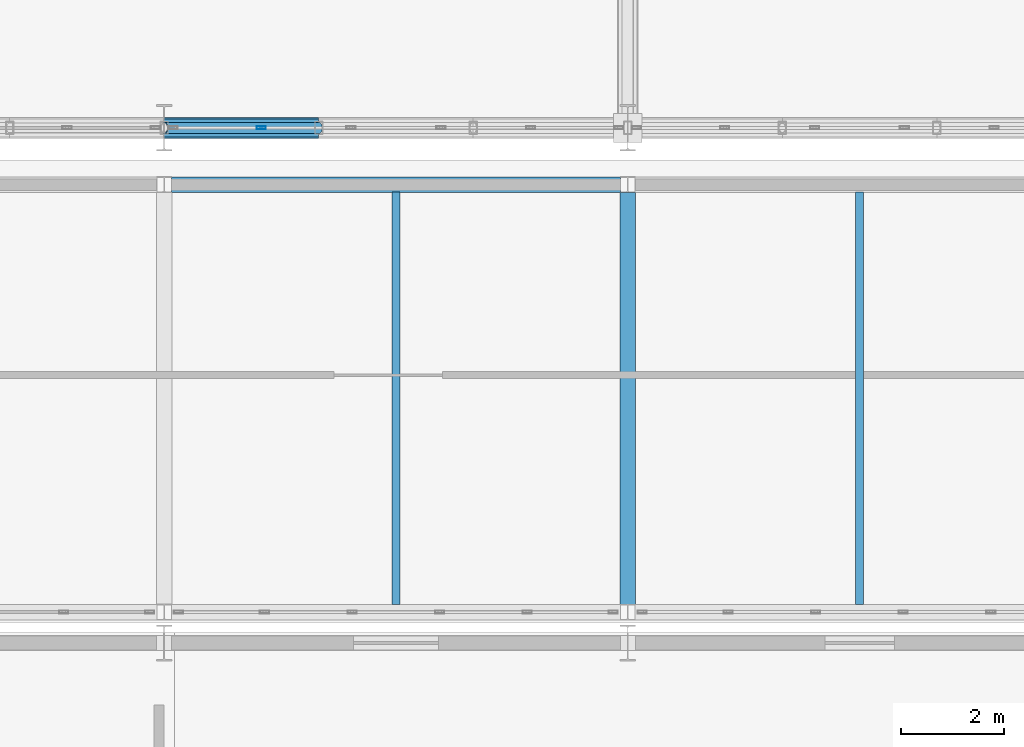
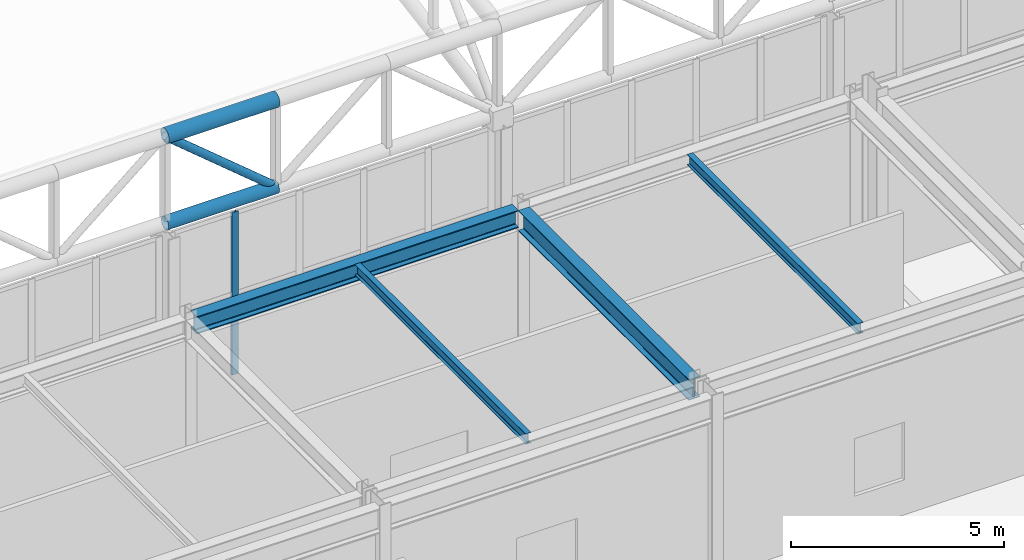
# One storey, part 43 of 239: 4 beams, 4 members, 1 element without a shape of its own.
"""IFC4 building model written with IfcOpenShell, lengths in metres."""

from ifc_helpers import new_model, si_unit, direction, frame, origin, origin_2d, place, context, subcontext, project, spatial, hollow_rectangle, hollow_circle, i_section, extrude, material, material_profile, profile_set, type_object, element, aggregate, save


model = new_model("IFC4")

# Units and contexts
model_context = context("Model", 3, precision=1e-05, world=origin(), true_north=direction((0.0, 1.0)))
body_context = subcontext(model_context, "Body", "Model", "MODEL_VIEW")
ifc_project = project(units=[si_unit("LENGTHUNIT", "METRE"), si_unit("AREAUNIT", "SQUARE_METRE"), si_unit("VOLUMEUNIT", "CUBIC_METRE"), si_unit("PLANEANGLEUNIT", "RADIAN"), si_unit("MASSUNIT", "GRAM", prefix="KILO")], contexts=[model_context])

# Site, building, storey
site_placement = place(None, origin())
site = spatial("IfcSite", under=ifc_project, at=site_placement, CompositionType="ELEMENT")
building_placement = place(site_placement, origin())
building = spatial("IfcBuilding", under=site, at=building_placement, Name="Kaldris Quays Convention Centre", CompositionType="ELEMENT")
storey_placement = place(building_placement, frame((0.0, 0.0, 11.39990234375)))
storey = spatial("IfcBuildingStorey", under=building, at=storey_placement, Name="L02", CompositionType="ELEMENT", Elevation=11.39990234375)

# Curtain wall, member
ifc_material_1 = material(Name="Anodized aluminium AW-6060 and triple glazing", Category="aluminium")
curtain_wall_type = type_object("IfcCurtainWallType", Name="UNITISED CURTAIN WALL CW03", PredefinedType="NOTDEFINED", material=ifc_material_1)
curtain_wall_placement = place(storey_placement, origin())
curtain_wall = element("IfcCurtainWall", 1, at=curtain_wall_placement, inside=storey, type_object=curtain_wall_type, Name="L02 Unitised Curtain Wall CW03 237", PredefinedType="NOTDEFINED")
ifc_material_2 = material(Name="Anodized aluminium AW-6060", Category="aluminium")
ifc_material_profile_1 = material_profile(ifc_material_2, hollow_rectangle(XDim=0.06005859375, YDim=0.179931640625, WallThickness=0.0048828125, at=origin_2d()), Name="RHS 180x60x5")
ifc_profile_set_1 = profile_set([ifc_material_profile_1], Name="Anodized aluminium AW-6060")
member_type_1 = type_object("IfcMemberType", Name="CURTAIN MULLION CWM2", PredefinedType="MULLION", material=ifc_profile_set_1)
member_1_placement = place(storey_placement, frame((66.884033203125, 56.0, 2.195068359375), z_axis=(0.0, 0.0, 1.0), x_axis=(0.0, 1.0, 0.0)))
member_1 = element("IfcMember", 2, at=member_1_placement, type_object=member_type_1, Name="CW03 mullion 2", PredefinedType="MULLION", context=body_context, shape_type="SweptSolid", body=[
    extrude(hollow_rectangle(XDim=0.06005859375, YDim=0.179931640625, WallThickness=0.0048828125, at=origin_2d()), origin(), (0.0, 0.0, 1.0), 4.655029296875),
])
aggregate(curtain_wall, [member_1])

# Beams
ifc_material_3 = material(Name="Steel S355J2", Category="steel")
ifc_material_profile_2 = material_profile(ifc_material_3, i_section(OverallWidth=0.300048828125, OverallDepth=0.5, WebThickness=0.014404296875, FlangeThickness=0.028076171875, FilletRadius=0.027099609375, at=origin_2d()), Name="HEB 500")
ifc_profile_set_2 = profile_set([ifc_material_profile_2], Name="Steel S355J2")
beam_type_1 = type_object("IfcBeamType", Name="STRUCTURAL BEAM BM06", PredefinedType="BEAM", material=ifc_profile_set_2)
beam_1_placement = place(storey_placement, frame((65.14404296875, 54.89990234375, 4.943115234375), z_axis=(1.0, 0.0, 0.0), x_axis=(0.0, 1.0, 0.0)))
element("IfcBeam", 3, at=beam_1_placement, inside=storey, type_object=beam_type_1, Name="L02 Girder BM06 11", PredefinedType="BEAM", context=body_context, shape_type="SweptSolid", body=[
    extrude(i_section(OverallWidth=0.300048828125, OverallDepth=0.5, WebThickness=0.014404296875, FlangeThickness=0.028076171875, FilletRadius=0.027099609375, at=origin_2d()), origin(), (0.0, 0.0, 1.0), 8.7119140625),
])
ifc_material_profile_3 = material_profile(ifc_material_3, i_section(OverallWidth=0.300048828125, OverallDepth=0.590087890625, WebThickness=0.012939453125, FlangeThickness=0.02490234375, FilletRadius=0.027099609375, at=origin_2d()), Name="HEA 600")
ifc_profile_set_3 = profile_set([ifc_material_profile_3], Name="Steel S355J2")
beam_type_2 = type_object("IfcBeamType", Name="STRUCTURAL BEAM BM08", PredefinedType="BEAM", material=ifc_profile_set_3)
beam_2_placement = place(storey_placement, frame((74.0, 46.7490234375, 4.898193359375), z_axis=(0.0, 1.0, 0.0), x_axis=(-1.0, 0.0, 0.0)))
element("IfcBeam", 4, at=beam_2_placement, inside=storey, type_object=beam_type_2, Name="L02 Girder BM08 18", PredefinedType="BEAM", context=body_context, shape_type="SweptSolid", body=[
    extrude(i_section(OverallWidth=0.300048828125, OverallDepth=0.590087890625, WebThickness=0.012939453125, FlangeThickness=0.02490234375, FilletRadius=0.027099609375, at=origin_2d()), origin(), (0.0, 0.0, 1.0), 8.001953125),
])
ifc_material_profile_4 = material_profile(ifc_material_3, i_section(OverallWidth=0.14990234375, OverallDepth=0.300048828125, WebThickness=0.007080078125, FlangeThickness=0.0107421875, FilletRadius=0.014892578125, at=origin_2d()), Name="IPE 300")
ifc_profile_set_4 = profile_set([ifc_material_profile_4], Name="Steel S355J2")
beam_type_3 = type_object("IfcBeamType", Name="STRUCTURAL BEAM JT04", PredefinedType="JOIST", material=ifc_profile_set_4)
for number, where, z_axis, x_axis, name in (
    (5, (69.5, 46.743896484375, 5.043212890625), (0.0, 1.0, 0.0), (-1.0, 0.0, 0.0), "L02 Secondary Joist JT04 5"),
    (6, (78.5, 46.743896484375, 5.043212890625), (0.0, 1.0, 0.0), (-1.0, 0.0, 0.0), "L02 Secondary Joist JT04 6"),
):
    element("IfcBeam", number, at=place(storey_placement, frame(where, z_axis=z_axis, x_axis=x_axis)), inside=storey, type_object=beam_type_3, Name=name, PredefinedType="JOIST", context=body_context, shape_type="SweptSolid", body=[
        extrude(i_section(OverallWidth=0.14990234375, OverallDepth=0.300048828125, WebThickness=0.007080078125, FlangeThickness=0.0107421875, FilletRadius=0.014892578125, at=origin_2d()), origin(), (0.0, 0.0, 1.0), 8.01220703125),
    ])

# Members
ifc_material_4 = material(Name="Steel S355J2H", Category="steel")
ifc_material_profile_5 = material_profile(ifc_material_4, hollow_circle(Radius=0.203125, WallThickness=0.01611328125, at=origin_2d()), Name="CHS 406.4x16")
ifc_profile_set_5 = profile_set([ifc_material_profile_5], Name="Steel S355J2H")
member_type_2 = type_object("IfcMemberType", Name="STRUCTURAL MEMBER SC01", PredefinedType="CHORD", material=ifc_profile_set_5)
member_2_placement = place(storey_placement, frame((65.0, 56.0, 9.671875), z_axis=(1.0, 0.0, 0.0), x_axis=(0.0, 1.0, 0.0)))
element("IfcMember", 7, at=member_2_placement, inside=storey, type_object=member_type_2, Name="SF-V1 Top Chord X 16", PredefinedType="CHORD", context=body_context, shape_type="SweptSolid", body=[
    extrude(hollow_circle(Radius=0.203125, WallThickness=0.01611328125, at=origin_2d()), origin(), (0.0, 0.0, 1.0), 3.0),
])
ifc_material_profile_6 = material_profile(ifc_material_4, hollow_circle(Radius=0.177734375, WallThickness=0.01611328125, at=origin_2d()), Name="CHS 355.6x16")
ifc_profile_set_6 = profile_set([ifc_material_profile_6], Name="Steel S355J2H")
member_type_3 = type_object("IfcMemberType", Name="STRUCTURAL MEMBER SC02", PredefinedType="CHORD", material=ifc_profile_set_6)
member_3_placement = place(storey_placement, frame((65.0, 56.0, 7.171875), z_axis=(1.0, 0.0, 0.0), x_axis=(0.0, 1.0, 0.0)))
element("IfcMember", 8, at=member_3_placement, inside=storey, type_object=member_type_3, Name="SF-V1 Bottom Chord X 16", PredefinedType="CHORD", context=body_context, shape_type="SweptSolid", body=[
    extrude(hollow_circle(Radius=0.177734375, WallThickness=0.01611328125, at=origin_2d()), origin(), (0.0, 0.0, 1.0), 3.0),
])
ifc_material_profile_7 = material_profile(ifc_material_4, hollow_circle(Radius=0.109619140625, WallThickness=0.010009765625, at=origin_2d()), Name="CHS 219.1x10")
ifc_profile_set_7 = profile_set([ifc_material_profile_7], Name="Steel S355J2H")
member_type_4 = type_object("IfcMemberType", Name="STRUCTURAL MEMBER SWB1", PredefinedType="BRACE", material=ifc_profile_set_7)
member_4_placement = place(storey_placement, frame((68.0, 56.0, 7.171875), z_axis=(-0.768221279597, 0.0, 0.640184399664), x_axis=(0.0, -1.0, 0.0)))
element("IfcMember", 9, at=member_4_placement, inside=storey, type_object=member_type_4, Name="SF-V1 Web Diagonal X 16", PredefinedType="BRACE", context=body_context, shape_type="SweptSolid", body=[
    extrude(hollow_circle(Radius=0.109619140625, WallThickness=0.010009765625, at=origin_2d()), origin(), (0.0, 0.0, 1.0), 3.905029296875),
])

save(model, "model.ifc")
